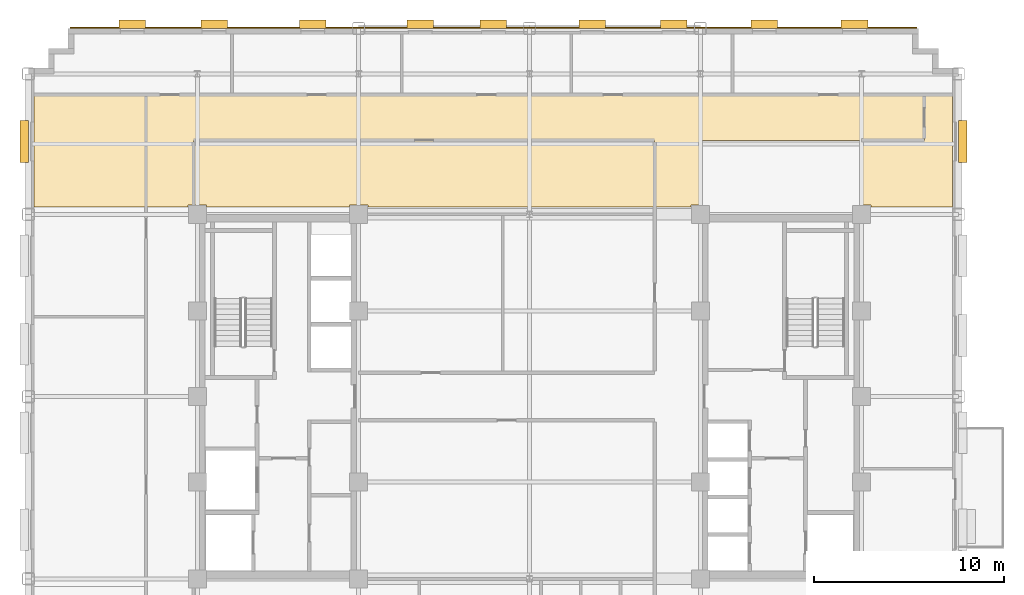
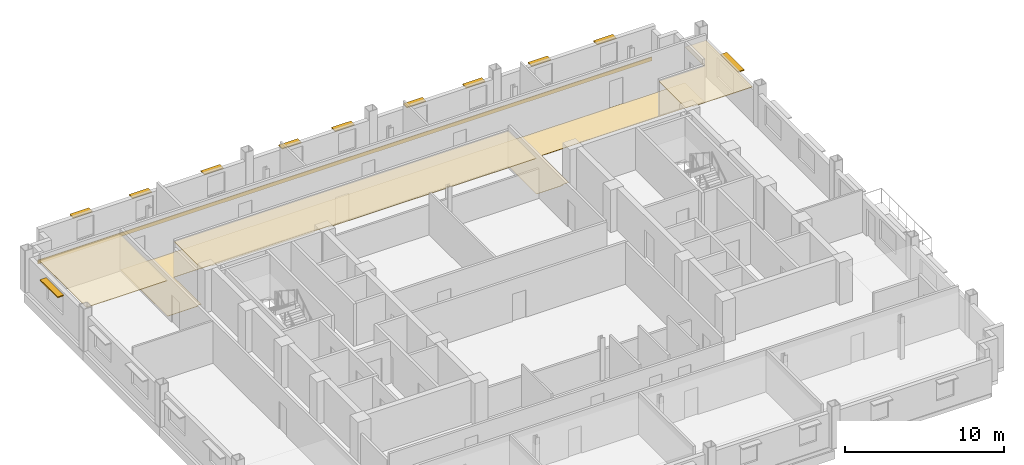
# One storey, part 14 of 14: 11 shading devices, 5 coverings.
"""IFC4 building model written with IfcOpenShell, lengths in metres."""

import ifcopenshell
import ifcopenshell.guid

model = None  # the IFC model being written
_history = None  # IfcOwnerHistory: only IFC2X3 demands one
_inside = {}  # id of a spatial element -> (the spatial element, [elements in it])
_under = {}  # id of a project, library or spatial element -> (it, [spatial elements below it])
_declared = {}  # id of a project -> (the project, [libraries it declares])
_typed = {}  # id of a type object -> (the type object, [elements of that type])
_made_of = {}  # id of a material, layer set ... -> (it, [elements and type objects made of it])


def new_model(schema):
    """Start an empty IFC model of exactly this schema.

    Asked for "IFC4X3", IfcOpenShell would pick the latest addendum, in which some entities
    have other attributes; the version numbers below select the first issue.
    IFC2X3 requires an IfcOwnerHistory on every rooted entity: one is made here for all.
    """
    global model, _history
    if schema == "IFC4X3":
        model = ifcopenshell.file(schema_version=(4, 3, 0, 0))
    else:
        model = ifcopenshell.file(schema=schema)
    _inside.clear()
    _under.clear()
    _declared.clear()
    _typed.clear()
    _made_of.clear()
    _history = None
    if model.schema == "IFC2X3":
        org = make("IfcOrganization", Name="unknown")
        user = make(
            "IfcPersonAndOrganization",
            ThePerson=make("IfcPerson", FamilyName="unknown"),
            TheOrganization=org,
        )
        app = make(
            "IfcApplication",
            ApplicationDeveloper=org,
            Version="unknown",
            ApplicationFullName="unknown",
            ApplicationIdentifier="unknown",
        )
        _history = make(
            "IfcOwnerHistory",
            OwningUser=user,
            OwningApplication=app,
            ChangeAction="ADDED",
            CreationDate=0,
        )
    return model


def make(cls, **values):
    """One entity of the class cls with the attributes given. An attribute that is None is left unset."""
    return model.create_entity(
        cls, **{name: value for name, value in values.items() if value is not None}
    )


def rooted(cls, **values):
    """An entity with a GlobalId (a new one), such as an element, a storey or a relation."""
    return make(cls, GlobalId=ifcopenshell.guid.new(), OwnerHistory=_history, **values)


def si_unit(unit_type, name, prefix=None):
    """IfcSIUnit, for example si_unit("LENGTHUNIT", "METRE", prefix="MILLI")."""
    return make("IfcSIUnit", UnitType=unit_type, Prefix=prefix, Name=name)


def assignment(units):
    """IfcUnitAssignment: the units of a project."""
    return None if units is None else make("IfcUnitAssignment", Units=units)


def point(xyz):
    """IfcCartesianPoint."""
    return None if xyz is None else make("IfcCartesianPoint", Coordinates=xyz)


def direction(xyz):
    """IfcDirection."""
    return None if xyz is None else make("IfcDirection", DirectionRatios=xyz)


def frame(location, z_axis=None, x_axis=None):
    """IfcAxis2Placement3D, a coordinate frame: its origin and axes. An axis left out is left unset."""
    return make(
        "IfcAxis2Placement3D",
        Location=point(location),
        Axis=direction(z_axis),
        RefDirection=direction(x_axis),
    )


def frame_2d(location, x_axis=None):
    """IfcAxis2Placement2D, a coordinate frame in the plane: its origin and x axis."""
    return make(
        "IfcAxis2Placement2D", Location=point(location), RefDirection=direction(x_axis)
    )


def origin():
    """The frame at (0, 0, 0) with its axes left unset."""
    return frame((0.0, 0.0, 0.0))


def origin_2d():
    """The frame at (0, 0) in the plane with its x axis left unset."""
    return frame_2d((0.0, 0.0))


def place(relative_to, where):
    """IfcLocalPlacement: puts the frame where relative to a parent placement (None: the world)."""
    return make(
        "IfcLocalPlacement", PlacementRelTo=relative_to, RelativePlacement=where
    )


def context(
    kind, dimensions, precision=None, world=None, true_north=None, identifier=None
):
    """IfcGeometricRepresentationContext, for example the 3D "Model" context."""
    return make(
        "IfcGeometricRepresentationContext",
        ContextIdentifier=identifier,
        ContextType=kind,
        CoordinateSpaceDimension=dimensions,
        Precision=precision,
        WorldCoordinateSystem=world,
        TrueNorth=true_north,
    )


def subcontext(parent, identifier, kind, view, scale=None):
    """IfcGeometricRepresentationSubContext, for example "Body" below "Model"."""
    return make(
        "IfcGeometricRepresentationSubContext",
        ContextIdentifier=identifier,
        ContextType=kind,
        ParentContext=parent,
        TargetScale=scale,
        TargetView=view,
    )


def project(units=None, contexts=None):
    """IfcProject with its units and contexts."""
    return rooted(
        "IfcProject",
        Name="project",
        RepresentationContexts=contexts,
        UnitsInContext=assignment(units),
    )


def spatial(cls, under=None, at=None, **own):
    """A site, building, storey or space (cls), placed at a placement, below another one or the project."""
    s = rooted(cls, ObjectPlacement=at, **own)
    if under is not None:
        _under.setdefault(under.id(), (under, []))[1].append(s)
    return s


def polyline(points):
    """IfcPolyline through the points."""
    return make("IfcPolyline", Points=[point(p) for p in points])


def profile(cls, at=None, kind="AREA", **sizes):
    """A parametric profile (cls). Its sizes go by their IFC names, for example OverallWidth=200.0."""
    return make(cls, ProfileType=kind, Position=at, **sizes)


def rectangle(**sizes):
    """IfcRectangleProfileDef."""
    return profile("IfcRectangleProfileDef", **sizes)


def outline(outer, holes=None, kind="AREA"):
    """IfcArbitraryClosedProfileDef: a profile drawn as a closed curve; with holes, ...WithVoids."""
    if holes is None:
        return make("IfcArbitraryClosedProfileDef", ProfileType=kind, OuterCurve=outer)
    return make(
        "IfcArbitraryProfileDefWithVoids",
        ProfileType=kind,
        OuterCurve=outer,
        InnerCurves=holes,
    )


def extrude(swept, where, along, depth):
    """IfcExtrudedAreaSolid: the profile swept, set in the frame where, extruded along a direction by depth."""
    return make(
        "IfcExtrudedAreaSolid",
        SweptArea=swept,
        Position=where,
        ExtrudedDirection=direction(along),
        Depth=depth,
    )


def shape(context_of_items, identifier, shape_type, items):
    """IfcShapeRepresentation: the items that make up one representation, for example the "Body"."""
    return make(
        "IfcShapeRepresentation",
        ContextOfItems=context_of_items,
        RepresentationIdentifier=identifier,
        RepresentationType=shape_type,
        Items=items,
    )


def source(mapping_origin, context_of_items, identifier, shape_type, items):
    """IfcRepresentationMap: a shape defined once, which mapped items show again and again."""
    return make(
        "IfcRepresentationMap",
        MappingOrigin=mapping_origin,
        MappedRepresentation=shape(context_of_items, identifier, shape_type, items),
    )


def transform(
    local_origin,
    x_axis=None,
    y_axis=None,
    z_axis=None,
    scale=None,
    scale2=None,
    scale3=None,
    uniform=True,
):
    """IfcCartesianTransformationOperator3D, or its non-uniform kind. x_axis, y_axis, z_axis: its Axis1, 2, 3."""
    if uniform:
        return make(
            "IfcCartesianTransformationOperator3D",
            Axis1=direction(x_axis),
            Axis2=direction(y_axis),
            LocalOrigin=point(local_origin),
            Scale=scale,
            Axis3=direction(z_axis),
        )
    return make(
        "IfcCartesianTransformationOperator3DnonUniform",
        Axis1=direction(x_axis),
        Axis2=direction(y_axis),
        LocalOrigin=point(local_origin),
        Scale=scale,
        Axis3=direction(z_axis),
        Scale2=scale2,
        Scale3=scale3,
    )


def mapped(mapping_source, mapping_target):
    """IfcMappedItem: shows the shape of a source again, moved by a transform."""
    return make(
        "IfcMappedItem", MappingSource=mapping_source, MappingTarget=mapping_target
    )


def material(Name=None, Category=None):
    """IfcMaterial."""
    return make("IfcMaterial", Name=Name, Category=Category)


def layer(
    of_material, thickness, ventilated=None, Name=None, Category=None, Priority=None
):
    """IfcMaterialLayer: one layer of a wall or slab, of a material (None: an air gap)."""
    return make(
        "IfcMaterialLayer",
        Material=of_material,
        LayerThickness=thickness,
        IsVentilated=ventilated,
        Name=Name,
        Category=Category,
        Priority=Priority,
    )


def layer_set(layers, Name=None):
    """IfcMaterialLayerSet."""
    return make("IfcMaterialLayerSet", MaterialLayers=layers, LayerSetName=Name)


def made_of(thing, what):
    """Note that an element or type object is made of a material, layer set ...; save() writes the relation."""
    if what is not None:
        _made_of.setdefault(what.id(), (what, []))[1].append(thing)
    return thing


def type_object(cls, material=None, **own):
    """A type object (cls), such as IfcWallType, which elements share."""
    return made_of(rooted(cls, **own), material)


def type_shapes(of_type, sources):
    """Give a type object the sources (RepresentationMaps) that its elements show as mapped items."""
    of_type.RepresentationMaps = sources


def element(
    cls,
    number,
    at=None,
    inside=None,
    cuts=None,
    type_object=None,
    material=None,
    context=None,
    identifier="Body",
    shape_type=None,
    held_by="IfcProductDefinitionShape",
    body=None,
    shapes=None,
    **own,
):
    """One element of the class cls, such as IfcWall. Its Tag is "e" and its number.

    at: its placement. inside: the storey or other place that contains it. cuts: it is an
    opening in that element (IfcRelVoidsElement). A single representation is given by context,
    identifier, shape_type and body (its items); several are given by shapes. held_by: the class
    of the entity that holds the representations. save() writes the other relations.
    """
    e = rooted(cls, Tag="e%d" % number, ObjectPlacement=at, **own)
    if body is not None:
        shapes = [shape(context, identifier, shape_type, body)]
    if shapes is not None:
        e.Representation = make(held_by, Representations=shapes)
    if inside is not None:
        _inside.setdefault(inside.id(), (inside, []))[1].append(e)
    if cuts is not None:
        rooted(
            "IfcRelVoidsElement", RelatingBuildingElement=cuts, RelatedOpeningElement=e
        )
    if type_object is not None:
        _typed.setdefault(type_object.id(), (type_object, []))[1].append(e)
    return made_of(e, material)


def aggregate(whole, parts):
    """IfcRelAggregates: a whole, such as a stair, and the parts it consists of."""
    return rooted("IfcRelAggregates", RelatingObject=whole, RelatedObjects=parts)


def save(model, path):
    """Write the relations noted so far, then the file.

    IfcRelAggregates (storeys below a building ...), IfcRelContainedInSpatialStructure (elements
    in a storey), IfcRelDefinesByType, IfcRelAssociatesMaterial and IfcRelDeclares: one each for
    every whole, place, type object, material and project.
    """
    for whole, parts in _under.values():
        aggregate(whole, parts)
    for where, things in _inside.values():
        rooted(
            "IfcRelContainedInSpatialStructure",
            RelatedElements=things,
            RelatingStructure=where,
        )
    for kind, things in _typed.values():
        rooted("IfcRelDefinesByType", RelatedObjects=things, RelatingType=kind)
    for what, things in _made_of.values():
        rooted("IfcRelAssociatesMaterial", RelatedObjects=things, RelatingMaterial=what)
    for by, libraries in _declared.values():
        rooted("IfcRelDeclares", RelatingContext=by, RelatedDefinitions=libraries)
    model.write(path)


model = new_model("IFC4")

# Units and contexts
model_context = context("Model", 3, precision=1e-05, world=origin(), true_north=direction((0.0, 1.0)))
body_context = subcontext(model_context, "Body", "Model", "MODEL_VIEW")
ifc_project = project(units=[si_unit("LENGTHUNIT", "METRE"), si_unit("AREAUNIT", "SQUARE_METRE"), si_unit("VOLUMEUNIT", "CUBIC_METRE"), si_unit("PLANEANGLEUNIT", "RADIAN"), si_unit("MASSUNIT", "GRAM", prefix="KILO")], contexts=[model_context])

# Site, building, storey
site_placement = place(None, origin())
site = spatial("IfcSite", under=ifc_project, at=site_placement, CompositionType="ELEMENT")
building_placement = place(site_placement, origin())
building = spatial("IfcBuilding", under=site, at=building_placement, Name="Nuvemarco Arch Tower", CompositionType="ELEMENT")
storey_placement = place(building_placement, frame((0.0, 0.0, 182.25)))
storey = spatial("IfcBuildingStorey", under=building, at=storey_placement, Name="L48", CompositionType="ELEMENT", Elevation=182.25)

# Coverings
ifc_material_1 = material(Name="Mineral acoustic ceiling tile")
ifc_layer_1 = layer(ifc_material_1, 0.0400390625, Name="COV-ACOUSTIC-CLG")
ifc_layer_set_1 = layer_set([ifc_layer_1], Name="Mineral acoustic ceiling tile")
covering_type_1 = type_object("IfcCoveringType", Name="COV-ACOUSTIC-CLG", PredefinedType="CEILING", material=ifc_layer_set_1)
covering_1_placement = place(storey_placement, frame((0.0, 0.0, 2.72998046875)))
element("IfcCovering", 1, at=covering_1_placement, inside=storey, type_object=covering_type_1, Name="L48 suspended acoustic ceiling 2", PredefinedType="CEILING", context=body_context, shape_type="SweptSolid", body=[
    extrude(outline(polyline([(6.60009765625, 13.5), (6.60009765625, 10.0), (-8.510009765625, 10.0), (-8.510009765625, 10.090087890625), (-9.489990234375, 10.090087890625), (-9.489990234375, 10.0), (-17.010009765625, 10.0), (-17.010009765625, 10.090087890625), (-17.699951171875, 10.090087890625), (-17.699951171875, 13.5), (6.60009765625, 13.5)])), origin(), (0.0, 0.0, 1.0), 0.0400390625),
])
covering_2_placement = place(storey_placement, frame((0.0, 0.0, 2.72998046875)))
element("IfcCovering", 2, at=covering_2_placement, inside=storey, type_object=covering_type_1, Name="L48 suspended acoustic ceiling 4", PredefinedType="CEILING", context=body_context, shape_type="SweptSolid", body=[
    extrude(outline(polyline([(17.989990234375, 10.090087890625), (17.5, 10.090087890625), (17.5, 13.5), (20.800048828125, 13.5), (20.800048828125, 15.89990234375), (22.2900390625, 15.89990234375), (22.2900390625, 10.0), (17.989990234375, 10.0), (17.989990234375, 10.090087890625)])), origin(), (0.0, 0.0, 1.0), 0.0400390625),
])
covering_3_placement = place(storey_placement, frame((0.0, 0.0, 2.72998046875)))
element("IfcCovering", 3, at=covering_3_placement, inside=storey, type_object=covering_type_1, Name="L48 suspended acoustic ceiling 5", PredefinedType="CEILING", context=body_context, shape_type="SweptSolid", body=[
    extrude(outline(polyline([(-20.199951171875, 15.89990234375), (-20.199951171875, 13.5), (-20.199951171875, 10.0), (-26.090087890625, 10.0), (-26.090087890625, 15.89990234375), (-20.199951171875, 15.89990234375)])), origin(), (0.0, 0.0, 1.0), 0.0400390625),
])
ifc_material_2 = material(Name="Polished granite terrazzostone flooring", Category="masonry")
ifc_layer_2 = layer(ifc_material_2, 0.02001953125, Name="COV-LOBBY-FLR")
ifc_layer_set_2 = layer_set([ifc_layer_2], Name="Polished granite terrazzostone flooring")
covering_type_2 = type_object("IfcCoveringType", Name="COV-LOBBY-FLR", PredefinedType="FLOORING", material=ifc_layer_set_2)
covering_4_placement = place(storey_placement, origin())
element("IfcCovering", 4, at=covering_4_placement, inside=storey, type_object=covering_type_2, Name="L48 polished terrazzo lobby flooring", PredefinedType="FLOORING", context=body_context, shape_type="SweptSolid", body=[
    extrude(outline(polyline([(-20.199951171875, 13.5), (-20.199951171875, 15.89990234375), (-17.699951171875, 15.89990234375), (6.60009765625, 15.89990234375), (9.0, 15.89990234375), (20.800048828125, 15.89990234375), (20.800048828125, 13.5), (9.0, 13.5), (9.0, 10.090087890625), (8.510009765625, 10.090087890625), (8.510009765625, 10.0), (6.60009765625, 10.0), (6.60009765625, 13.5), (-17.699951171875, 13.5), (-17.699951171875, 10.090087890625), (-17.989990234375, 10.090087890625), (-17.989990234375, 10.0), (-20.199951171875, 10.0), (-20.199951171875, 13.5)])), origin(), (0.0, 0.0, 1.0), 0.02001953125),
])

# Shading devices
ifc_material_3 = material(Name="Anodised aluminium 6063-T6", Category="aluminium")
shading_device_type_1 = type_object("IfcShadingDeviceType", Name="SHD-BRISE-SOLEIL", PredefinedType="USERDEFINED", material=ifc_material_3)
shared_shape_1 = source(origin(), body_context, "Body", "SweptSolid", [
    extrude(rectangle(XDim=2.199951171875, YDim=0.449951171875, at=origin_2d()), origin(), (0.0, 0.0, 1.0), 0.080078125),
])
type_shapes(shading_device_type_1, [shared_shape_1])
for number, where, z_axis, x_axis, name in (
    (5, (22.81494140625, 13.437744140625, 2.324951171875), (0.0, 0.0, 1.0), (0.0, 1.0, 0.0), "L48 horizontal brise-soleil sunshade"),
    (6, (-26.614990234375, 13.437744140625, 2.324951171875), (0.0, 0.0, 1.0), (0.0, 1.0, 0.0), "L48 horizontal brise-soleil sunshade"),
):
    element("IfcShadingDevice", number, at=place(storey_placement, frame(where, z_axis=z_axis, x_axis=x_axis)), inside=storey, type_object=shading_device_type_1, Name=name, ObjectType="SUNSHADE", PredefinedType="USERDEFINED", context=body_context, shape_type="MappedRepresentation", body=[
        mapped(shared_shape_1, transform((0.0, 0.0, 0.0), scale=1.0)),
    ])
shading_device_type_2 = type_object("IfcShadingDeviceType", Name="SHD-BRISE-NARROW", PredefinedType="USERDEFINED", material=ifc_material_3)
shared_shape_2 = source(origin(), body_context, "Body", "SweptSolid", [
    extrude(rectangle(XDim=1.39990234375, YDim=0.449951171875, at=origin_2d()), origin(), (0.0, 0.0, 1.0), 0.080078125),
])
type_shapes(shading_device_type_2, [shared_shape_2])
for number, where, z_axis, x_axis, name in (
    (7, (-20.922119140625, 19.614990234375, 2.324951171875), (0.0, 0.0, 1.0), (1.0, 0.0, 0.0), "L48 horizontal brise-soleil sunshade"),
    (8, (-16.61669921875, 19.614990234375, 2.324951171875), (0.0, 0.0, 1.0), (1.0, 0.0, 0.0), "L48 horizontal brise-soleil sunshade"),
    (9, (-11.4111328125, 19.614990234375, 2.324951171875), (0.0, 0.0, 1.0), (1.0, 0.0, 0.0), "L48 horizontal brise-soleil sunshade"),
    (10, (-5.755615234375, 19.614990234375, 2.324951171875), (0.0, 0.0, 1.0), (1.0, 0.0, 0.0), "L48 horizontal brise-soleil sunshade"),
    (11, (-1.89990234375, 19.614990234375, 2.324951171875), (0.0, 0.0, 1.0), (1.0, 0.0, 0.0), "L48 horizontal brise-soleil sunshade"),
    (12, (3.3056640625, 19.614990234375, 2.324951171875), (0.0, 0.0, 1.0), (1.0, 0.0, 0.0), "L48 horizontal brise-soleil sunshade"),
    (13, (7.611083984375, 19.614990234375, 2.324951171875), (0.0, 0.0, 1.0), (1.0, 0.0, 0.0), "L48 horizontal brise-soleil sunshade"),
    (14, (12.36669921875, 19.614990234375, 2.324951171875), (0.0, 0.0, 1.0), (1.0, 0.0, 0.0), "L48 horizontal brise-soleil sunshade"),
    (15, (17.122314453125, 19.614990234375, 2.324951171875), (0.0, 0.0, 1.0), (1.0, 0.0, 0.0), "L48 horizontal brise-soleil sunshade"),
):
    element("IfcShadingDevice", number, at=place(storey_placement, frame(where, z_axis=z_axis, x_axis=x_axis)), inside=storey, type_object=shading_device_type_2, Name=name, ObjectType="SUNSHADE", PredefinedType="USERDEFINED", context=body_context, shape_type="MappedRepresentation", body=[
        mapped(shared_shape_2, transform((0.0, 0.0, 0.0), scale=1.0)),
    ])

# Covering
ifc_material_4 = material(Name="Precast concrete C45/55", Category="concrete")
ifc_layer_3 = layer(ifc_material_4, 0.06005859375, Name="COV-SPANDREL-CLAD")
ifc_layer_set_3 = layer_set([ifc_layer_3], Name="Precast concrete C45/55")
covering_type_3 = type_object("IfcCoveringType", Name="COV-SPANDREL-CLAD", PredefinedType="CLADDING", material=ifc_layer_set_3)
shared_shape_3 = source(origin(), body_context, "Body", "SweptSolid", [
    extrude(rectangle(XDim=44.60009765625, YDim=0.06005859375, at=origin_2d()), origin(), (0.0, 0.0, 1.0), 0.280029296875),
])
type_shapes(covering_type_3, [shared_shape_3])
covering_5_placement = place(storey_placement, frame((-1.89990234375, 19.428955078125, -0.27978515625), z_axis=(0.0, 0.0, 1.0), x_axis=(1.0, 0.0, 0.0)))
element("IfcCovering", 16, at=covering_5_placement, inside=storey, type_object=covering_type_3, Name="L48 precast spandrel edge cladding north", PredefinedType="CLADDING", context=body_context, shape_type="MappedRepresentation", body=[
    mapped(shared_shape_3, transform((0.0, 0.0, 0.0), scale=1.0)),
])

save(model, "model.ifc")
